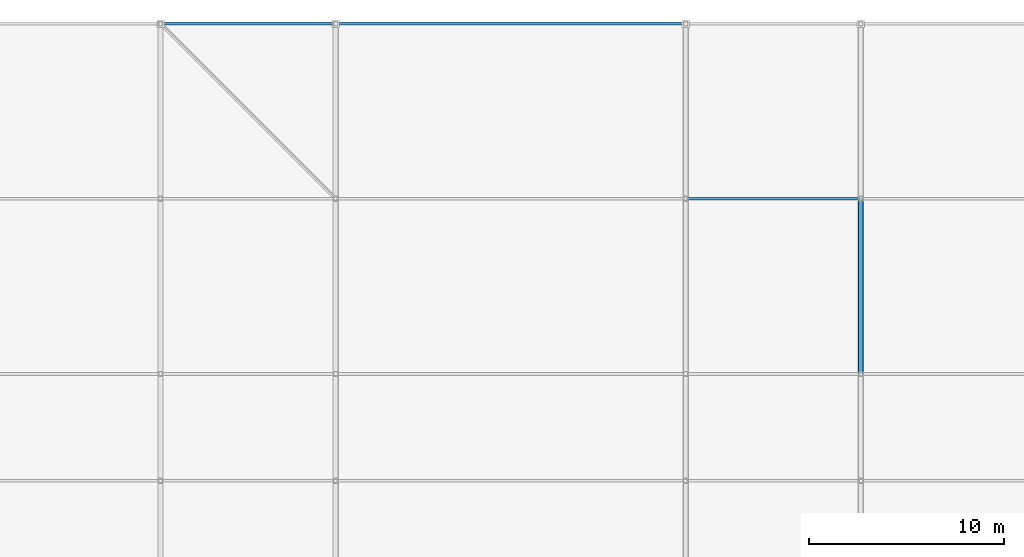
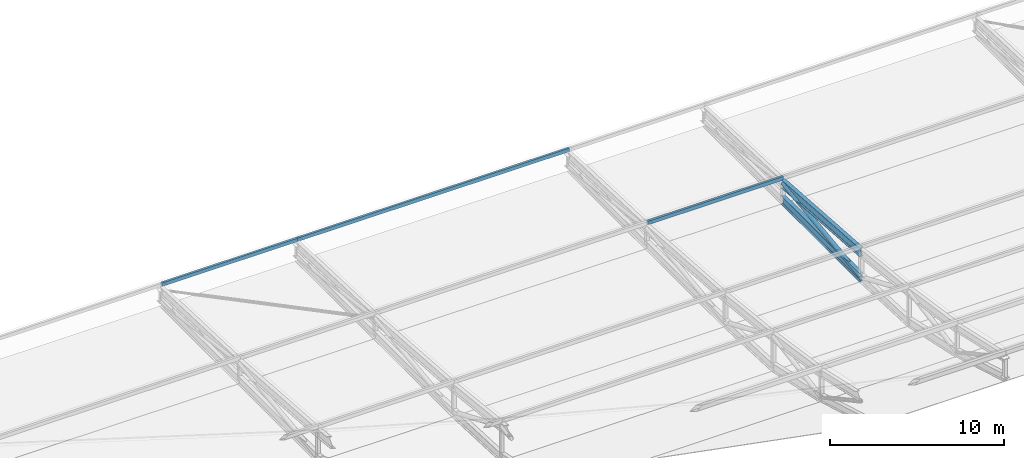
# One storey, part 73 of 114: 4 members, 2 beams.
"""IFC4 building model written with IfcOpenShell, lengths in metres."""

import ifcopenshell
import ifcopenshell.guid

model = None  # the IFC model being written
_history = None  # IfcOwnerHistory: only IFC2X3 demands one
_inside = {}  # id of a spatial element -> (the spatial element, [elements in it])
_under = {}  # id of a project, library or spatial element -> (it, [spatial elements below it])
_declared = {}  # id of a project -> (the project, [libraries it declares])
_typed = {}  # id of a type object -> (the type object, [elements of that type])
_made_of = {}  # id of a material, layer set ... -> (it, [elements and type objects made of it])


def new_model(schema):
    """Start an empty IFC model of exactly this schema.

    Asked for "IFC4X3", IfcOpenShell would pick the latest addendum, in which some entities
    have other attributes; the version numbers below select the first issue.
    IFC2X3 requires an IfcOwnerHistory on every rooted entity: one is made here for all.
    """
    global model, _history
    if schema == "IFC4X3":
        model = ifcopenshell.file(schema_version=(4, 3, 0, 0))
    else:
        model = ifcopenshell.file(schema=schema)
    _inside.clear()
    _under.clear()
    _declared.clear()
    _typed.clear()
    _made_of.clear()
    _history = None
    if model.schema == "IFC2X3":
        org = make("IfcOrganization", Name="unknown")
        user = make(
            "IfcPersonAndOrganization",
            ThePerson=make("IfcPerson", FamilyName="unknown"),
            TheOrganization=org,
        )
        app = make(
            "IfcApplication",
            ApplicationDeveloper=org,
            Version="unknown",
            ApplicationFullName="unknown",
            ApplicationIdentifier="unknown",
        )
        _history = make(
            "IfcOwnerHistory",
            OwningUser=user,
            OwningApplication=app,
            ChangeAction="ADDED",
            CreationDate=0,
        )
    return model


def make(cls, **values):
    """One entity of the class cls with the attributes given. An attribute that is None is left unset."""
    return model.create_entity(
        cls, **{name: value for name, value in values.items() if value is not None}
    )


def rooted(cls, **values):
    """An entity with a GlobalId (a new one), such as an element, a storey or a relation."""
    return make(cls, GlobalId=ifcopenshell.guid.new(), OwnerHistory=_history, **values)


def si_unit(unit_type, name, prefix=None):
    """IfcSIUnit, for example si_unit("LENGTHUNIT", "METRE", prefix="MILLI")."""
    return make("IfcSIUnit", UnitType=unit_type, Prefix=prefix, Name=name)


def assignment(units):
    """IfcUnitAssignment: the units of a project."""
    return None if units is None else make("IfcUnitAssignment", Units=units)


def point(xyz):
    """IfcCartesianPoint."""
    return None if xyz is None else make("IfcCartesianPoint", Coordinates=xyz)


def direction(xyz):
    """IfcDirection."""
    return None if xyz is None else make("IfcDirection", DirectionRatios=xyz)


def frame(location, z_axis=None, x_axis=None):
    """IfcAxis2Placement3D, a coordinate frame: its origin and axes. An axis left out is left unset."""
    return make(
        "IfcAxis2Placement3D",
        Location=point(location),
        Axis=direction(z_axis),
        RefDirection=direction(x_axis),
    )


def frame_2d(location, x_axis=None):
    """IfcAxis2Placement2D, a coordinate frame in the plane: its origin and x axis."""
    return make(
        "IfcAxis2Placement2D", Location=point(location), RefDirection=direction(x_axis)
    )


def origin():
    """The frame at (0, 0, 0) with its axes left unset."""
    return frame((0.0, 0.0, 0.0))


def origin_2d():
    """The frame at (0, 0) in the plane with its x axis left unset."""
    return frame_2d((0.0, 0.0))


def place(relative_to, where):
    """IfcLocalPlacement: puts the frame where relative to a parent placement (None: the world)."""
    return make(
        "IfcLocalPlacement", PlacementRelTo=relative_to, RelativePlacement=where
    )


def context(
    kind, dimensions, precision=None, world=None, true_north=None, identifier=None
):
    """IfcGeometricRepresentationContext, for example the 3D "Model" context."""
    return make(
        "IfcGeometricRepresentationContext",
        ContextIdentifier=identifier,
        ContextType=kind,
        CoordinateSpaceDimension=dimensions,
        Precision=precision,
        WorldCoordinateSystem=world,
        TrueNorth=true_north,
    )


def subcontext(parent, identifier, kind, view, scale=None):
    """IfcGeometricRepresentationSubContext, for example "Body" below "Model"."""
    return make(
        "IfcGeometricRepresentationSubContext",
        ContextIdentifier=identifier,
        ContextType=kind,
        ParentContext=parent,
        TargetScale=scale,
        TargetView=view,
    )


def project(units=None, contexts=None):
    """IfcProject with its units and contexts."""
    return rooted(
        "IfcProject",
        Name="project",
        RepresentationContexts=contexts,
        UnitsInContext=assignment(units),
    )


def spatial(cls, under=None, at=None, **own):
    """A site, building, storey or space (cls), placed at a placement, below another one or the project."""
    s = rooted(cls, ObjectPlacement=at, **own)
    if under is not None:
        _under.setdefault(under.id(), (under, []))[1].append(s)
    return s


def profile(cls, at=None, kind="AREA", **sizes):
    """A parametric profile (cls). Its sizes go by their IFC names, for example OverallWidth=200.0."""
    return make(cls, ProfileType=kind, Position=at, **sizes)


def hollow_rectangle(**sizes):
    """IfcRectangleHollowProfileDef."""
    return profile("IfcRectangleHollowProfileDef", **sizes)


def hollow_circle(**sizes):
    """IfcCircleHollowProfileDef."""
    return profile("IfcCircleHollowProfileDef", **sizes)


def i_section(**sizes):
    """IfcIShapeProfileDef."""
    return profile("IfcIShapeProfileDef", **sizes)


def extrude(swept, where, along, depth):
    """IfcExtrudedAreaSolid: the profile swept, set in the frame where, extruded along a direction by depth."""
    return make(
        "IfcExtrudedAreaSolid",
        SweptArea=swept,
        Position=where,
        ExtrudedDirection=direction(along),
        Depth=depth,
    )


def shape(context_of_items, identifier, shape_type, items):
    """IfcShapeRepresentation: the items that make up one representation, for example the "Body"."""
    return make(
        "IfcShapeRepresentation",
        ContextOfItems=context_of_items,
        RepresentationIdentifier=identifier,
        RepresentationType=shape_type,
        Items=items,
    )


def material(Name=None, Category=None):
    """IfcMaterial."""
    return make("IfcMaterial", Name=Name, Category=Category)


def material_profile(
    of_material, cross_section, Name=None, Category=None, Priority=None
):
    """IfcMaterialProfile: a cross section and its material."""
    return make(
        "IfcMaterialProfile",
        Name=Name,
        Material=of_material,
        Profile=cross_section,
        Priority=Priority,
        Category=Category,
    )


def profile_set(profiles, Name=None, composite=None):
    """IfcMaterialProfileSet."""
    return make(
        "IfcMaterialProfileSet",
        Name=Name,
        MaterialProfiles=profiles,
        CompositeProfile=composite,
    )


def made_of(thing, what):
    """Note that an element or type object is made of a material, layer set ...; save() writes the relation."""
    if what is not None:
        _made_of.setdefault(what.id(), (what, []))[1].append(thing)
    return thing


def type_object(cls, material=None, **own):
    """A type object (cls), such as IfcWallType, which elements share."""
    return made_of(rooted(cls, **own), material)


def element(
    cls,
    number,
    at=None,
    inside=None,
    cuts=None,
    type_object=None,
    material=None,
    context=None,
    identifier="Body",
    shape_type=None,
    held_by="IfcProductDefinitionShape",
    body=None,
    shapes=None,
    **own,
):
    """One element of the class cls, such as IfcWall. Its Tag is "e" and its number.

    at: its placement. inside: the storey or other place that contains it. cuts: it is an
    opening in that element (IfcRelVoidsElement). A single representation is given by context,
    identifier, shape_type and body (its items); several are given by shapes. held_by: the class
    of the entity that holds the representations. save() writes the other relations.
    """
    e = rooted(cls, Tag="e%d" % number, ObjectPlacement=at, **own)
    if body is not None:
        shapes = [shape(context, identifier, shape_type, body)]
    if shapes is not None:
        e.Representation = make(held_by, Representations=shapes)
    if inside is not None:
        _inside.setdefault(inside.id(), (inside, []))[1].append(e)
    if cuts is not None:
        rooted(
            "IfcRelVoidsElement", RelatingBuildingElement=cuts, RelatedOpeningElement=e
        )
    if type_object is not None:
        _typed.setdefault(type_object.id(), (type_object, []))[1].append(e)
    return made_of(e, material)


def aggregate(whole, parts):
    """IfcRelAggregates: a whole, such as a stair, and the parts it consists of."""
    return rooted("IfcRelAggregates", RelatingObject=whole, RelatedObjects=parts)


def save(model, path):
    """Write the relations noted so far, then the file.

    IfcRelAggregates (storeys below a building ...), IfcRelContainedInSpatialStructure (elements
    in a storey), IfcRelDefinesByType, IfcRelAssociatesMaterial and IfcRelDeclares: one each for
    every whole, place, type object, material and project.
    """
    for whole, parts in _under.values():
        aggregate(whole, parts)
    for where, things in _inside.values():
        rooted(
            "IfcRelContainedInSpatialStructure",
            RelatedElements=things,
            RelatingStructure=where,
        )
    for kind, things in _typed.values():
        rooted("IfcRelDefinesByType", RelatedObjects=things, RelatingType=kind)
    for what, things in _made_of.values():
        rooted("IfcRelAssociatesMaterial", RelatedObjects=things, RelatingMaterial=what)
    for by, libraries in _declared.values():
        rooted("IfcRelDeclares", RelatingContext=by, RelatedDefinitions=libraries)
    model.write(path)


model = new_model("IFC4")

# Units and contexts
model_context = context("Model", 3, precision=1e-05, world=origin(), true_north=direction((0.0, 1.0)))
body_context = subcontext(model_context, "Body", "Model", "MODEL_VIEW")
ifc_project = project(units=[si_unit("LENGTHUNIT", "METRE"), si_unit("AREAUNIT", "SQUARE_METRE"), si_unit("VOLUMEUNIT", "CUBIC_METRE"), si_unit("PLANEANGLEUNIT", "RADIAN"), si_unit("MASSUNIT", "GRAM", prefix="KILO"), si_unit("THERMODYNAMICTEMPERATUREUNIT", "KELVIN"), si_unit("POWERUNIT", "WATT")], contexts=[model_context])

# Site, building, storey
site_placement = place(None, origin())
site = spatial("IfcSite", under=ifc_project, at=site_placement, CompositionType="ELEMENT")
building_placement = place(site_placement, origin())
building = spatial("IfcBuilding", under=site, at=building_placement, Name="Sindhuravela Promenade Stadium", CompositionType="ELEMENT")
storey_placement = place(building_placement, frame((0.0, 0.0, 24.0)))
storey = spatial("IfcBuildingStorey", under=building, at=storey_placement, Name="L05", CompositionType="ELEMENT", Elevation=24.0)

# Beams
ifc_material = material(Name="Steel E350 (IS 2062 E350BR)", Category="steel")
ifc_material_profile_1 = material_profile(ifc_material, i_section(OverallWidth=0.25, OverallDepth=0.60009765625, WebThickness=0.01171875, FlangeThickness=0.023681640625, FilletRadius=0.01708984375, at=origin_2d()), Name="ISWB 600")
ifc_profile_set_1 = profile_set([ifc_material_profile_1], Name="Steel E350 (IS 2062 E350BR)")
beam_type = type_object("IfcBeamType", Name="ST-BM-WB600", PredefinedType="USERDEFINED", material=ifc_profile_set_1)
beam_1_placement = place(storey_placement, frame((135.0, 144.0, 1.127197265625), z_axis=(0.0, -0.9975125305940163, 0.07048937017679613), x_axis=(1.0, 0.0, 0.0)))
element("IfcBeam", 1, at=beam_1_placement, inside=storey, type_object=beam_type, Name="Roof truss RT-N07 top chord 2", ObjectType="ROOF TRUSS", PredefinedType="USERDEFINED", context=body_context, shape_type="SweptSolid", body=[
    extrude(i_section(OverallWidth=0.25, OverallDepth=0.60009765625, WebThickness=0.01171875, FlangeThickness=0.023681640625, FilletRadius=0.01708984375, at=origin_2d()), origin(), (0.0, 0.0, 1.0), 9.0224609375),
])
beam_2_placement = place(storey_placement, frame((135.0, 144.0, 0.0), z_axis=(0.0, -1.0, 0.0), x_axis=(1.0, 0.0, 0.0)))
element("IfcBeam", 2, at=beam_2_placement, inside=storey, type_object=beam_type, Name="Roof truss RT-N07 bottom chord 2", ObjectType="ROOF TRUSS", PredefinedType="USERDEFINED", context=body_context, shape_type="SweptSolid", body=[
    extrude(i_section(OverallWidth=0.25, OverallDepth=0.60009765625, WebThickness=0.01171875, FlangeThickness=0.023681640625, FilletRadius=0.01708984375, at=origin_2d()), origin(), (0.0, 0.0, 1.0), 9.0),
])

# Members
ifc_material_profile_2 = material_profile(ifc_material, hollow_circle(Radius=0.136474609375, WallThickness=0.010009765625, at=origin_2d()), Name="CHS 273.0x10")
ifc_profile_set_2 = profile_set([ifc_material_profile_2], Name="Steel E350 (IS 2062 E350BR)")
member_type_1 = type_object("IfcMemberType", Name="ST-MB-CHS273", PredefinedType="BRACE", material=ifc_profile_set_2)
member_1_placement = place(storey_placement, frame((135.0, 144.0, 1.127197265625), z_axis=(0.0, -0.9922480329009012, -0.12427325216752011), x_axis=(1.0, 0.0, 0.0)))
element("IfcMember", 3, at=member_1_placement, inside=storey, type_object=member_type_1, Name="Roof truss RT-N07 diagonal web 2", PredefinedType="BRACE", context=body_context, shape_type="SweptSolid", body=[
    extrude(hollow_circle(Radius=0.136474609375, WallThickness=0.010009765625, at=origin_2d()), origin(), (0.0, 0.0, 1.0), 9.0703125),
])
ifc_material_profile_3 = material_profile(ifc_material, hollow_rectangle(XDim=0.14990234375, YDim=0.25, WallThickness=0.010009765625, at=origin_2d()), Name="RHS 250x150x10")
ifc_profile_set_3 = profile_set([ifc_material_profile_3], Name="Steel E350 (IS 2062 E350BR)")
member_type_2 = type_object("IfcMemberType", Name="ST-MB-RHS250", PredefinedType="PURLIN", material=ifc_profile_set_3)
member_2_placement = place(storey_placement, frame((99.0, 153.0, 1.19189453125), z_axis=(1.0, 0.0, 0.0), x_axis=(0.0, 1.0, 0.0)))
element("IfcMember", 4, at=member_2_placement, inside=storey, type_object=member_type_2, Name="Roof purlin PR01 N bay 4.1", PredefinedType="PURLIN", context=body_context, shape_type="SweptSolid", body=[
    extrude(hollow_rectangle(XDim=0.14990234375, YDim=0.25, WallThickness=0.010009765625, at=origin_2d()), origin(), (0.0, 0.0, 1.0), 9.0),
])
member_3_placement = place(storey_placement, frame((108.0, 153.0, 1.19189453125), z_axis=(1.0, 0.0, 0.0), x_axis=(0.0, 1.0, 0.0)))
element("IfcMember", 5, at=member_3_placement, inside=storey, type_object=member_type_2, Name="Roof purlin PR01 N bay 5.1", PredefinedType="PURLIN", context=body_context, shape_type="SweptSolid", body=[
    extrude(hollow_rectangle(XDim=0.14990234375, YDim=0.25, WallThickness=0.010009765625, at=origin_2d()), origin(), (0.0, 0.0, 1.0), 18.0),
])
member_4_placement = place(storey_placement, frame((126.0, 144.0, 1.51904296875), z_axis=(1.0, 0.0, 0.0), x_axis=(0.0, 1.0, 0.0)))
element("IfcMember", 6, at=member_4_placement, inside=storey, type_object=member_type_2, Name="Roof purlin PR01 N bay 6.2", PredefinedType="PURLIN", context=body_context, shape_type="SweptSolid", body=[
    extrude(hollow_rectangle(XDim=0.14990234375, YDim=0.25, WallThickness=0.010009765625, at=origin_2d()), origin(), (0.0, 0.0, 1.0), 9.0),
])

save(model, "model.ifc")
